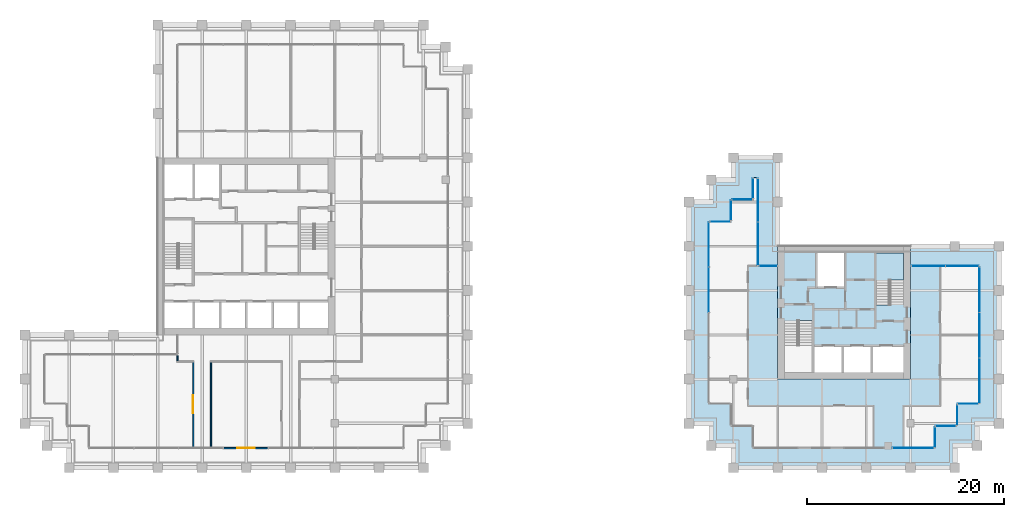
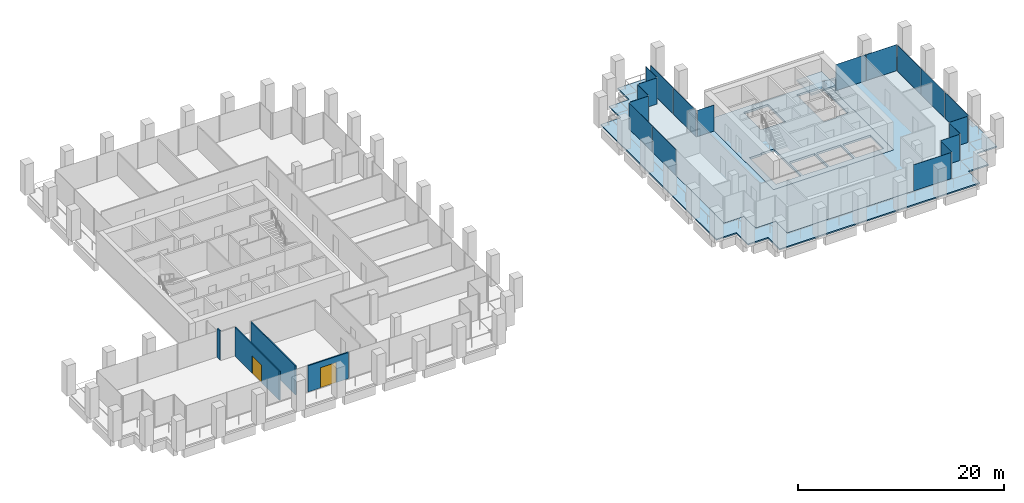
# One storey, part 40 of 46: 19 plates, 4 slabs, 4 walls, 2 doors, 2 openings, 15 elements without a shape of their own.
"""IFC4 building model written with IfcOpenShell, lengths in metres."""

from ifc_helpers import new_model, si_unit, direction, frame, frame_2d, origin, origin_2d, place, context, subcontext, project, spatial, polyline, rectangle, outline, extrude, material, layer, layer_set, type_object, element, fill, aggregate, save


model = new_model("IFC4")

# Units and contexts
model_context = context("Model", 3, precision=1e-05, world=origin(), true_north=direction((0.0, 1.0)))
body_context = subcontext(model_context, "Body", "Model", "MODEL_VIEW")
ifc_project = project(units=[si_unit("LENGTHUNIT", "METRE"), si_unit("AREAUNIT", "SQUARE_METRE"), si_unit("VOLUMEUNIT", "CUBIC_METRE"), si_unit("PLANEANGLEUNIT", "RADIAN"), si_unit("MASSUNIT", "GRAM", prefix="KILO")], contexts=[model_context])

# Site, building, storey
site_placement = place(None, origin())
site = spatial("IfcSite", under=ifc_project, at=site_placement, CompositionType="ELEMENT")
building_placement = place(site_placement, origin())
building = spatial("IfcBuilding", under=site, at=building_placement, Name="Altepetl Exchange Towers", CompositionType="ELEMENT")
storey_placement = place(building_placement, frame((0.0, 0.0, 131.60009765625)))
storey = spatial("IfcBuildingStorey", under=building, at=storey_placement, Name="L32", CompositionType="ELEMENT", Elevation=131.60009765625)

# Slabs
ifc_material_1 = material(Name="Concrete C40/50", Category="concrete")
ifc_layer_1 = layer(ifc_material_1, 0.14990234375)
ifc_layer_set_1 = layer_set([ifc_layer_1], Name="Concrete C40/50")
slab_type_1 = type_object("IfcSlabType", Name="Composite floor slab 150", PredefinedType="FLOOR", material=ifc_layer_set_1)
slab_1_placement = place(storey_placement, frame((0.0, 0.0, -0.150146484375)))
element("IfcSlab", 1, at=slab_1_placement, inside=storey, type_object=slab_type_1, Name="slab:B:L32:strip0", PredefinedType="FLOOR", context=body_context, shape_type="SweptSolid", body=[
    extrude(outline(polyline([(98.75, 54.25), (98.75, 52.0), (96.5, 52.0), (96.5, 33.5), (98.75, 33.5), (98.75, 31.25), (101.0, 31.25), (101.0, 29.0), (119.5, 29.0), (119.5, 31.25), (121.75, 31.25), (121.75, 33.5), (124.0, 33.5), (124.0, 47.5), (117.0, 47.5), (117.0, 36.0), (103.5, 36.0), (103.5, 47.5), (101.5, 47.5), (101.5, 56.5), (101.0, 56.5), (101.0, 54.25), (98.75, 54.25)])), origin(), (0.0, 0.0, 1.0), 0.150146484375),
])
ifc_layer_2 = layer(ifc_material_1, 0.25)
ifc_layer_set_2 = layer_set([ifc_layer_2], Name="Concrete C40/50")
slab_type_2 = type_object("IfcSlabType", Name="Core floor slab 250", PredefinedType="FLOOR", material=ifc_layer_set_2)
slab_2_placement = place(storey_placement, frame((0.0, 0.0, -0.25)))
element("IfcSlab", 2, at=slab_2_placement, inside=storey, type_object=slab_type_2, Name="slab:B:L32:core0", PredefinedType="FLOOR", context=body_context, shape_type="SweptSolid", body=[
    extrude(outline(polyline([(103.5, 36.0), (117.0, 36.0), (117.0, 49.5), (103.5, 49.5), (103.5, 36.0)]), holes=[polyline([(107.199951171875, 36.699951171875), (107.199951171875, 39.300048828125), (110.032958984375, 39.300048828125), (110.032958984375, 36.699951171875), (107.199951171875, 36.699951171875)]), polyline([(110.23291015625, 39.300048828125), (112.967041015625, 39.300048828125), (112.967041015625, 36.699951171875), (110.23291015625, 36.699951171875), (110.23291015625, 39.300048828125)]), polyline([(113.1669921875, 39.300048828125), (116.300048828125, 39.300048828125), (116.300048828125, 36.699951171875), (113.1669921875, 36.699951171875), (113.1669921875, 39.300048828125)]), polyline([(107.0, 36.699951171875), (104.199951171875, 36.699951171875), (104.199951171875, 41.85009765625), (105.550048828125, 41.85009765625), (105.550048828125, 41.948974609375), (107.0, 41.948974609375), (107.0, 36.699951171875)]), polyline([(116.300048828125, 48.800048828125), (116.300048828125, 43.64990234375), (114.949951171875, 43.64990234375), (114.949951171875, 43.551025390625), (113.5, 43.551025390625), (113.5, 48.800048828125), (116.300048828125, 48.800048828125)]), polyline([(107.532958984375, 48.800048828125), (110.26708984375, 48.800048828125), (110.26708984375, 45.39990234375), (107.532958984375, 45.39990234375), (107.532958984375, 48.800048828125)])]), origin(), (0.0, 0.0, 1.0), 0.25),
])

# Curtain wall, plate
ifc_material_2 = material(Name="Aluminium 6063-T6 glazing", Category="aluminium")
curtain_wall_type = type_object("IfcCurtainWallType", Name="Loggia glazing system", PredefinedType="NOTDEFINED", material=ifc_material_2)
curtain_wall_1_placement = place(storey_placement, origin())
curtain_wall_1 = element("IfcCurtainWall", 3, at=curtain_wall_1_placement, inside=storey, type_object=curtain_wall_type, Name="CW1 run", PredefinedType="NOTDEFINED")
ifc_material_3 = material(Name="Glass 6-16-6 low emissivity", Category="glass")
ifc_layer_3 = layer(ifc_material_3, 0.028076171875)
ifc_layer_set_3 = layer_set([ifc_layer_3], Name="Glass 6-16-6 low emissivity")
plate_type = type_object("IfcPlateType", Name="Glass panel 28 double glazed", PredefinedType="CURTAIN_PANEL", material=ifc_layer_set_3)
plate_1_placement = place(storey_placement, frame((97.66259765625, 52.0, -0.000244140625), z_axis=(0.0, 0.0, 1.0), x_axis=(-1.0, 0.0, 0.0)))
plate_1 = element("IfcPlate", 4, at=plate_1_placement, type_object=plate_type, Name="GP1 panel", PredefinedType="CURTAIN_PANEL", context=body_context, shape_type="SweptSolid", body=[
    extrude(rectangle(XDim=2.054931640625, YDim=0.028076171875, at=origin_2d()), origin(), (0.0, 0.0, 1.0), 3.10009765625),
])
aggregate(curtain_wall_1, [plate_1])

# Curtain wall, plates
curtain_wall_2_placement = place(storey_placement, origin())
curtain_wall_2 = element("IfcCurtainWall", 5, at=curtain_wall_2_placement, inside=storey, type_object=curtain_wall_type, Name="CW1 run", PredefinedType="NOTDEFINED")
plate_2_placement = place(storey_placement, frame((96.5, 49.681884765625, -0.000244140625), z_axis=(0.0, 0.0, 1.0), x_axis=(0.0, -1.0, 0.0)))
plate_2 = element("IfcPlate", 6, at=plate_2_placement, type_object=plate_type, Name="GP1 panel", PredefinedType="CURTAIN_PANEL", context=body_context, shape_type="SweptSolid", body=[
    extrude(rectangle(XDim=4.516357421875, YDim=0.028076171875, at=origin_2d()), origin(), (0.0, 0.0, 1.0), 3.10009765625),
])
plate_3_placement = place(storey_placement, frame((96.5, 45.090576171875, -0.000244140625), z_axis=(0.0, 0.0, 1.0), x_axis=(0.0, -1.0, 0.0)))
plate_3 = element("IfcPlate", 7, at=plate_3_placement, type_object=plate_type, Name="GP1 panel", PredefinedType="CURTAIN_PANEL", context=body_context, shape_type="SweptSolid", body=[
    extrude(rectangle(XDim=4.546142578125, YDim=0.028076171875, at=origin_2d()), origin(), (0.0, 0.0, 1.0), 3.10009765625),
])
aggregate(curtain_wall_2, [plate_2, plate_3])

# Curtain wall, plate
curtain_wall_3_placement = place(storey_placement, origin())
curtain_wall_3 = element("IfcCurtainWall", 8, at=curtain_wall_3_placement, inside=storey, type_object=curtain_wall_type, Name="CW1 run", PredefinedType="NOTDEFINED")
plate_4_placement = place(storey_placement, frame((117.284912109375, 29.0, -0.000244140625)))
plate_4 = element("IfcPlate", 9, at=plate_4_placement, type_object=plate_type, Name="GP1 panel", PredefinedType="CURTAIN_PANEL", context=body_context, shape_type="SweptSolid", body=[
    extrude(rectangle(XDim=4.159912109375, YDim=0.028076171875, at=origin_2d()), origin(), (0.0, 0.0, 1.0), 3.10009765625),
])
aggregate(curtain_wall_3, [plate_4])

curtain_wall_4_placement = place(storey_placement, origin())
curtain_wall_4 = element("IfcCurtainWall", 10, at=curtain_wall_4_placement, inside=storey, type_object=curtain_wall_type, Name="CW1 run", PredefinedType="NOTDEFINED")
plate_5_placement = place(storey_placement, frame((119.5, 30.08740234375, -0.000244140625), z_axis=(0.0, 0.0, 1.0), x_axis=(0.0, 1.0, 0.0)))
plate_5 = element("IfcPlate", 11, at=plate_5_placement, type_object=plate_type, Name="GP1 panel", PredefinedType="CURTAIN_PANEL", context=body_context, shape_type="SweptSolid", body=[
    extrude(rectangle(XDim=2.054931640625, YDim=0.028076171875, at=origin_2d()), origin(), (0.0, 0.0, 1.0), 3.10009765625),
])
aggregate(curtain_wall_4, [plate_5])

curtain_wall_5_placement = place(storey_placement, origin())
curtain_wall_5 = element("IfcCurtainWall", 12, at=curtain_wall_5_placement, inside=storey, type_object=curtain_wall_type, Name="CW1 run", PredefinedType="NOTDEFINED")
plate_6_placement = place(storey_placement, frame((120.58740234375, 31.25, -0.000244140625)))
plate_6 = element("IfcPlate", 13, at=plate_6_placement, type_object=plate_type, Name="GP1 panel", PredefinedType="CURTAIN_PANEL", context=body_context, shape_type="SweptSolid", body=[
    extrude(rectangle(XDim=2.054931640625, YDim=0.028076171875, at=origin_2d()), origin(), (0.0, 0.0, 1.0), 3.10009765625),
])
aggregate(curtain_wall_5, [plate_6])

curtain_wall_6_placement = place(storey_placement, origin())
curtain_wall_6 = element("IfcCurtainWall", 14, at=curtain_wall_6_placement, inside=storey, type_object=curtain_wall_type, Name="CW1 run", PredefinedType="NOTDEFINED")
plate_7_placement = place(storey_placement, frame((121.75, 32.33740234375, -0.000244140625), z_axis=(0.0, 0.0, 1.0), x_axis=(0.0, 1.0, 0.0)))
plate_7 = element("IfcPlate", 15, at=plate_7_placement, type_object=plate_type, Name="GP1 panel", PredefinedType="CURTAIN_PANEL", context=body_context, shape_type="SweptSolid", body=[
    extrude(rectangle(XDim=2.054931640625, YDim=0.028076171875, at=origin_2d()), origin(), (0.0, 0.0, 1.0), 3.10009765625),
])
aggregate(curtain_wall_6, [plate_7])

curtain_wall_7_placement = place(storey_placement, origin())
curtain_wall_7 = element("IfcCurtainWall", 16, at=curtain_wall_7_placement, inside=storey, type_object=curtain_wall_type, Name="CW1 run", PredefinedType="NOTDEFINED")
plate_8_placement = place(storey_placement, frame((122.83740234375, 33.5, -0.000244140625)))
plate_8 = element("IfcPlate", 17, at=plate_8_placement, type_object=plate_type, Name="GP1 panel", PredefinedType="CURTAIN_PANEL", context=body_context, shape_type="SweptSolid", body=[
    extrude(rectangle(XDim=2.054931640625, YDim=0.028076171875, at=origin_2d()), origin(), (0.0, 0.0, 1.0), 3.10009765625),
])
aggregate(curtain_wall_7, [plate_8])

# Curtain wall, plates
curtain_wall_8_placement = place(storey_placement, origin())
curtain_wall_8 = element("IfcCurtainWall", 18, at=curtain_wall_8_placement, inside=storey, type_object=curtain_wall_type, Name="CW1 run", PredefinedType="NOTDEFINED")
plate_9_placement = place(storey_placement, frame((124.0, 35.8359375, -0.000244140625), z_axis=(0.0, 0.0, 1.0), x_axis=(0.0, 1.0, 0.0)))
plate_9 = element("IfcPlate", 19, at=plate_9_placement, type_object=plate_type, Name="GP1 panel", PredefinedType="CURTAIN_PANEL", context=body_context, shape_type="SweptSolid", body=[
    extrude(rectangle(XDim=4.5517578125, YDim=0.028076171875, at=origin_2d()), origin(), (0.0, 0.0, 1.0), 3.10009765625),
])
plate_10_placement = place(storey_placement, frame((124.0, 40.46240234375, -0.000244140625), z_axis=(0.0, 0.0, 1.0), x_axis=(0.0, 1.0, 0.0)))
plate_10 = element("IfcPlate", 20, at=plate_10_placement, type_object=plate_type, Name="GP1 panel", PredefinedType="CURTAIN_PANEL", context=body_context, shape_type="SweptSolid", body=[
    extrude(rectangle(XDim=4.581787109375, YDim=0.028076171875, at=origin_2d()), origin(), (0.0, 0.0, 1.0), 3.10009765625),
])
plate_11_placement = place(storey_placement, frame((124.0, 45.089111328125, -0.000244140625), z_axis=(0.0, 0.0, 1.0), x_axis=(0.0, 1.0, 0.0)))
plate_11 = element("IfcPlate", 21, at=plate_11_placement, type_object=plate_type, Name="GP1 panel", PredefinedType="CURTAIN_PANEL", context=body_context, shape_type="SweptSolid", body=[
    extrude(rectangle(XDim=4.5517578125, YDim=0.028076171875, at=origin_2d()), origin(), (0.0, 0.0, 1.0), 3.10009765625),
])
aggregate(curtain_wall_8, [plate_9, plate_10, plate_11])

curtain_wall_9_placement = place(storey_placement, origin())
curtain_wall_9 = element("IfcCurtainWall", 22, at=curtain_wall_9_placement, inside=storey, type_object=curtain_wall_type, Name="CW1 run", PredefinedType="NOTDEFINED")
plate_12_placement = place(storey_placement, frame((122.253662109375, 47.5, -0.000244140625), z_axis=(0.0, 0.0, 1.0), x_axis=(-1.0, 0.0, 0.0)))
plate_12 = element("IfcPlate", 23, at=plate_12_placement, type_object=plate_type, Name="GP1 panel", PredefinedType="CURTAIN_PANEL", context=body_context, shape_type="SweptSolid", body=[
    extrude(rectangle(XDim=3.37255859375, YDim=0.028076171875, at=origin_2d()), origin(), (0.0, 0.0, 1.0), 3.10009765625),
])
plate_13_placement = place(storey_placement, frame((118.8212890625, 47.5, -0.000244140625), z_axis=(0.0, 0.0, 1.0), x_axis=(-1.0, 0.0, 0.0)))
plate_13 = element("IfcPlate", 24, at=plate_13_placement, type_object=plate_type, Name="GP1 panel", PredefinedType="CURTAIN_PANEL", context=body_context, shape_type="SweptSolid", body=[
    extrude(rectangle(XDim=3.37255859375, YDim=0.028076171875, at=origin_2d()), origin(), (0.0, 0.0, 1.0), 3.10009765625),
])
aggregate(curtain_wall_9, [plate_12, plate_13])

# Curtain wall, plate
curtain_wall_10_placement = place(storey_placement, origin())
curtain_wall_10 = element("IfcCurtainWall", 25, at=curtain_wall_10_placement, inside=storey, type_object=curtain_wall_type, Name="CW1 run", PredefinedType="NOTDEFINED")
plate_14_placement = place(storey_placement, frame((102.53759765625, 47.5, -0.000244140625), z_axis=(0.0, 0.0, 1.0), x_axis=(-1.0, 0.0, 0.0)))
plate_14 = element("IfcPlate", 26, at=plate_14_placement, type_object=plate_type, Name="GP1 panel", PredefinedType="CURTAIN_PANEL", context=body_context, shape_type="SweptSolid", body=[
    extrude(rectangle(XDim=1.804931640625, YDim=0.028076171875, at=origin_2d()), origin(), (0.0, 0.0, 1.0), 3.10009765625),
])
aggregate(curtain_wall_10, [plate_14])

# Curtain wall, plates
curtain_wall_11_placement = place(storey_placement, origin())
curtain_wall_11 = element("IfcCurtainWall", 27, at=curtain_wall_11_placement, inside=storey, type_object=curtain_wall_type, Name="CW1 run", PredefinedType="NOTDEFINED")
plate_15_placement = place(storey_placement, frame((101.5, 49.746337890625, -0.000244140625), z_axis=(0.0, 0.0, 1.0), x_axis=(0.0, 1.0, 0.0)))
plate_15 = element("IfcPlate", 28, at=plate_15_placement, type_object=plate_type, Name="GP1 panel", PredefinedType="CURTAIN_PANEL", context=body_context, shape_type="SweptSolid", body=[
    extrude(rectangle(XDim=4.37255859375, YDim=0.028076171875, at=origin_2d()), origin(), (0.0, 0.0, 1.0), 3.10009765625),
])
plate_16_placement = place(storey_placement, frame((101.5, 54.1787109375, -0.000244140625), z_axis=(0.0, 0.0, 1.0), x_axis=(0.0, 1.0, 0.0)))
plate_16 = element("IfcPlate", 29, at=plate_16_placement, type_object=plate_type, Name="GP1 panel", PredefinedType="CURTAIN_PANEL", context=body_context, shape_type="SweptSolid", body=[
    extrude(rectangle(XDim=4.37255859375, YDim=0.028076171875, at=origin_2d()), origin(), (0.0, 0.0, 1.0), 3.10009765625),
])
aggregate(curtain_wall_11, [plate_15, plate_16])

# Curtain wall, plate
curtain_wall_12_placement = place(storey_placement, origin())
curtain_wall_12 = element("IfcCurtainWall", 30, at=curtain_wall_12_placement, inside=storey, type_object=curtain_wall_type, Name="CW1 run", PredefinedType="NOTDEFINED")
plate_17_placement = place(storey_placement, frame((101.0, 55.41259765625, -0.000244140625), z_axis=(0.0, 0.0, 1.0), x_axis=(0.0, -1.0, 0.0)))
plate_17 = element("IfcPlate", 31, at=plate_17_placement, type_object=plate_type, Name="GP1 panel", PredefinedType="CURTAIN_PANEL", context=body_context, shape_type="SweptSolid", body=[
    extrude(rectangle(XDim=2.054931640625, YDim=0.028076171875, at=origin_2d()), origin(), (0.0, 0.0, 1.0), 3.10009765625),
])
aggregate(curtain_wall_12, [plate_17])

curtain_wall_13_placement = place(storey_placement, origin())
curtain_wall_13 = element("IfcCurtainWall", 32, at=curtain_wall_13_placement, inside=storey, type_object=curtain_wall_type, Name="CW1 run", PredefinedType="NOTDEFINED")
plate_18_placement = place(storey_placement, frame((99.91259765625, 54.25, -0.000244140625), z_axis=(0.0, 0.0, 1.0), x_axis=(-1.0, 0.0, 0.0)))
plate_18 = element("IfcPlate", 33, at=plate_18_placement, type_object=plate_type, Name="GP1 panel", PredefinedType="CURTAIN_PANEL", context=body_context, shape_type="SweptSolid", body=[
    extrude(rectangle(XDim=2.054931640625, YDim=0.028076171875, at=origin_2d()), origin(), (0.0, 0.0, 1.0), 3.10009765625),
])
aggregate(curtain_wall_13, [plate_18])

curtain_wall_14_placement = place(storey_placement, origin())
curtain_wall_14 = element("IfcCurtainWall", 34, at=curtain_wall_14_placement, inside=storey, type_object=curtain_wall_type, Name="CW1 run", PredefinedType="NOTDEFINED")
plate_19_placement = place(storey_placement, frame((98.75, 53.16259765625, -0.000244140625), z_axis=(0.0, 0.0, 1.0), x_axis=(0.0, -1.0, 0.0)))
plate_19 = element("IfcPlate", 35, at=plate_19_placement, type_object=plate_type, Name="GP1 panel", PredefinedType="CURTAIN_PANEL", context=body_context, shape_type="SweptSolid", body=[
    extrude(rectangle(XDim=2.054931640625, YDim=0.028076171875, at=origin_2d()), origin(), (0.0, 0.0, 1.0), 3.10009765625),
])
aggregate(curtain_wall_14, [plate_19])

# Slab
ifc_layer_4 = layer(ifc_material_1, 0.14990234375)
ifc_layer_set_4 = layer_set([ifc_layer_4], Name="Concrete C40/50")
slab_type_3 = type_object("IfcSlabType", Name="Loggia slab 150", PredefinedType="FLOOR", material=ifc_layer_set_4)
slab_3_placement = place(storey_placement, frame((0.0, 0.0, -0.150146484375)))
element("IfcSlab", 36, at=slab_3_placement, inside=storey, type_object=slab_type_3, Name="slab:B:L32:loggia0", PredefinedType="FLOOR", context=body_context, shape_type="SweptSolid", body=[
    extrude(outline(polyline([(96.75, 54.0), (94.5, 54.0), (94.5, 36.0), (94.5, 31.5), (96.75, 31.5), (96.75, 29.25), (99.0, 29.25), (99.0, 27.0), (117.0, 27.0), (121.5, 27.0), (121.5, 29.25), (123.75, 29.25), (123.75, 31.5), (126.0, 31.5), (126.0, 49.5), (117.0, 49.5), (117.0, 47.5), (124.0, 47.5), (124.0, 33.5), (121.75, 33.5), (121.75, 31.25), (119.5, 31.25), (119.5, 29.0), (101.0, 29.0), (101.0, 31.25), (98.75, 31.25), (98.75, 33.5), (96.5, 33.5), (96.5, 52.0), (98.75, 52.0), (98.75, 54.25), (101.0, 54.25), (101.0, 56.5), (101.5, 56.5), (101.5, 47.5), (103.5, 47.5), (103.5, 49.5), (103.5, 58.5), (99.0, 58.5), (99.0, 56.25), (96.75, 56.25), (96.75, 54.0)])), origin(), (0.0, 0.0, 1.0), 0.150146484375),
])

# Stair, slab
stair_type = type_object("IfcStairType", Name="Exit stair 1350 flights dogleg", PredefinedType="HALF_TURN_STAIR", material=ifc_material_1)
stair_placement = place(storey_placement, origin())
stair = element("IfcStair", 37, at=stair_placement, inside=storey, type_object=stair_type, Name="Exit stair 2", PredefinedType="HALF_TURN_STAIR")
ifc_layer_5 = layer(ifc_material_1, 0.199951171875)
ifc_layer_set_5 = layer_set([ifc_layer_5], Name="Concrete C40/50")
slab_type_4 = type_object("IfcSlabType", Name="Stair landing 200 reinforced concrete", PredefinedType="LANDING", material=ifc_layer_set_5)
slab_4_placement = place(storey_placement, frame((0.0, 0.0, 1.599853515625)))
slab_4 = element("IfcSlab", 38, at=slab_4_placement, type_object=slab_type_4, Name="ST-B2d landing 1", PredefinedType="LANDING", context=body_context, shape_type="SweptSolid", body=[
    extrude(outline(polyline([(114.85009765625, 45.969970703125), (113.5, 45.969970703125), (113.5, 46.070068359375), (113.5, 48.800048828125), (116.300048828125, 48.800048828125), (116.300048828125, 46.070068359375), (116.300048828125, 46.0693359375), (114.949951171875, 46.0693359375), (114.949951171875, 46.070068359375), (114.85009765625, 46.070068359375), (114.85009765625, 45.969970703125)])), origin(), (0.0, 0.0, 1.0), 0.199951171875),
])
aggregate(stair, [slab_4])

# Wall, opening, door
ifc_material_4 = material(Name="Aluminium composite cladding", Category="aluminium")
ifc_layer_6 = layer(ifc_material_4, 0.14990234375)
ifc_layer_set_6 = layer_set([ifc_layer_6], Name="Aluminium composite cladding")
wall_type_1 = type_object("IfcWallType", Name="Infill wall 150 aluminium panel", PredefinedType="SOLIDWALL", material=ifc_layer_set_6)
wall_1_placement = place(storey_placement, frame((47.18212890625, 29.0, 0.0)))
wall_1 = element("IfcWall", 39, at=wall_1_placement, inside=storey, type_object=wall_type_1, Name="Loggia door bay wall", PredefinedType="SOLIDWALL", context=body_context, shape_type="SweptSolid", body=[
    extrude(rectangle(XDim=4.560791015625, YDim=0.14990234375, at=frame_2d((2.2802734375, 0.0))), origin(), (0.0, 0.0, 1.0), 3.099853515625),
])
opening_1_placement = place(wall_1_placement, frame((1.38037109375, 0.0, 0.0)))
opening_1 = element("IfcOpeningElement", 40, at=opening_1_placement, cuts=wall_1, Name="Opening L32.A90", PredefinedType="OPENING", context=body_context, shape_type="SweptSolid", body=[
    extrude(rectangle(XDim=1.800048828125, YDim=2.39990234375, at=frame_2d((0.89990234375, 1.199951171875))), frame((0.0, 0.0849609375, 0.0), z_axis=(0.0, -1.0, 0.0), x_axis=(1.0, 0.0, 0.0)), (0.0, 0.0, 1.0), 0.169921875),
])
ifc_material_5 = material(Name="Aluminium 6063-T6 and glass", Category="aluminium")
door_type_1 = type_object("IfcDoorType", Name="Glazed door pair 1800x2400", OperationType="DOUBLE_DOOR_DOUBLE_SWING", PredefinedType="NOTDEFINED", material=ifc_material_5)
door_1_placement = place(opening_1_placement, frame((1.800048828125, 0.0, 0.0), x_axis=(-1.0, 0.0, 0.0)))
door_1 = element("IfcDoor", 41, at=door_1_placement, inside=storey, type_object=door_type_1, Name="Loggia door", OperationType="DOUBLE_DOOR_DOUBLE_SWING", OverallHeight=2.39990234375, OverallWidth=1.800048828125, PredefinedType="NOTDEFINED", context=body_context, shape_type="SweptSolid", body=[
    extrude(rectangle(XDim=1.800048828125, YDim=2.39990234375, at=frame_2d((0.89990234375, 1.199951171875))), frame((0.0, 0.02490234375, 0.0), z_axis=(0.0, -1.0, 0.0), x_axis=(1.0, 0.0, 0.0)), (0.0, 0.0, 1.0), 0.050048828125),
])
fill(opening_1, door_1)

# Wall
ifc_material_6 = material(Name="Gypsum board on steel studs", Category="steel")
ifc_layer_7 = layer(ifc_material_6, 0.125)
ifc_layer_set_7 = layer_set([ifc_layer_7], Name="Gypsum board on steel studs")
wall_type_2 = type_object("IfcWallType", Name="Partition 125 gypsum board on steel studs", PredefinedType="PARTITIONING", material=ifc_layer_set_7)
wall_2_placement = place(storey_placement, frame((42.5, 37.862548828125, 0.0), z_axis=(0.0, 0.0, 1.0), x_axis=(0.0, 1.0, 0.0)))
element("IfcWall", 42, at=wall_2_placement, inside=storey, type_object=wall_type_2, Name="wall:A:L32:P14", PredefinedType="PARTITIONING", context=body_context, shape_type="SweptSolid", body=[
    extrude(rectangle(XDim=0.537353515625, YDim=0.125, at=frame_2d((0.2685546875, 0.0))), origin(), (0.0, 0.0, 1.0), 3.449951171875),
])

# Wall, opening, door
wall_3_placement = place(storey_placement, frame((44.10009765625, 29.10009765625, 0.0), z_axis=(0.0, 0.0, 1.0), x_axis=(0.0, 1.0, 0.0)))
wall_3 = element("IfcWall", 43, at=wall_3_placement, inside=storey, type_object=wall_type_2, Name="wall:A:L32:P15", PredefinedType="PARTITIONING", context=body_context, shape_type="SweptSolid", body=[
    extrude(rectangle(XDim=8.637451171875, YDim=0.125, at=frame_2d((4.31884765625, 0.0))), origin(), (0.0, 0.0, 1.0), 3.449951171875),
])
opening_2_placement = place(wall_3_placement, frame((3.449951171875, 0.0, 0.0)))
opening_2 = element("IfcOpeningElement", 44, at=opening_2_placement, cuts=wall_3, Name="Opening L32.A01", PredefinedType="OPENING", context=body_context, shape_type="SweptSolid", body=[
    extrude(rectangle(XDim=1.800048828125, YDim=2.10009765625, at=frame_2d((0.89990234375, 1.050048828125))), frame((0.0, 0.072509765625, 0.0), z_axis=(0.0, -1.0, 0.0), x_axis=(1.0, 0.0, 0.0)), (0.0, 0.0, 1.0), 0.14501953125),
])
ifc_material_7 = material(Name="Steel and timber fire door", Category="steel")
door_type_2 = type_object("IfcDoorType", Name="Fire door 1800 x 2100 double leaf", OperationType="DOUBLE_DOOR_SINGLE_SWING", PredefinedType="DOOR", material=ifc_material_7)
door_2_placement = place(opening_2_placement, origin())
door_2 = element("IfcDoor", 45, at=door_2_placement, inside=storey, type_object=door_type_2, Name="door:A:L32:01", OperationType="DOUBLE_DOOR_SINGLE_SWING", OverallHeight=2.10009765625, OverallWidth=1.800048828125, PredefinedType="DOOR", context=body_context, shape_type="SweptSolid", body=[
    extrude(rectangle(XDim=1.800048828125, YDim=2.10009765625, at=frame_2d((0.89990234375, 1.050048828125))), frame((0.0, 0.02490234375, 0.0), z_axis=(0.0, -1.0, 0.0), x_axis=(1.0, 0.0, 0.0)), (0.0, 0.0, 1.0), 0.050048828125),
])
fill(opening_2, door_2)

# Wall
wall_4_placement = place(storey_placement, frame((45.89990234375, 29.10009765625, 0.0), z_axis=(0.0, 0.0, 1.0), x_axis=(0.0, 1.0, 0.0)))
element("IfcWall", 46, at=wall_4_placement, inside=storey, type_object=wall_type_2, Name="wall:A:L32:P16", PredefinedType="PARTITIONING", context=body_context, shape_type="SweptSolid", body=[
    extrude(rectangle(XDim=8.637451171875, YDim=0.125, at=frame_2d((4.31884765625, 0.0))), origin(), (0.0, 0.0, 1.0), 3.449951171875),
])

save(model, "model.ifc")
